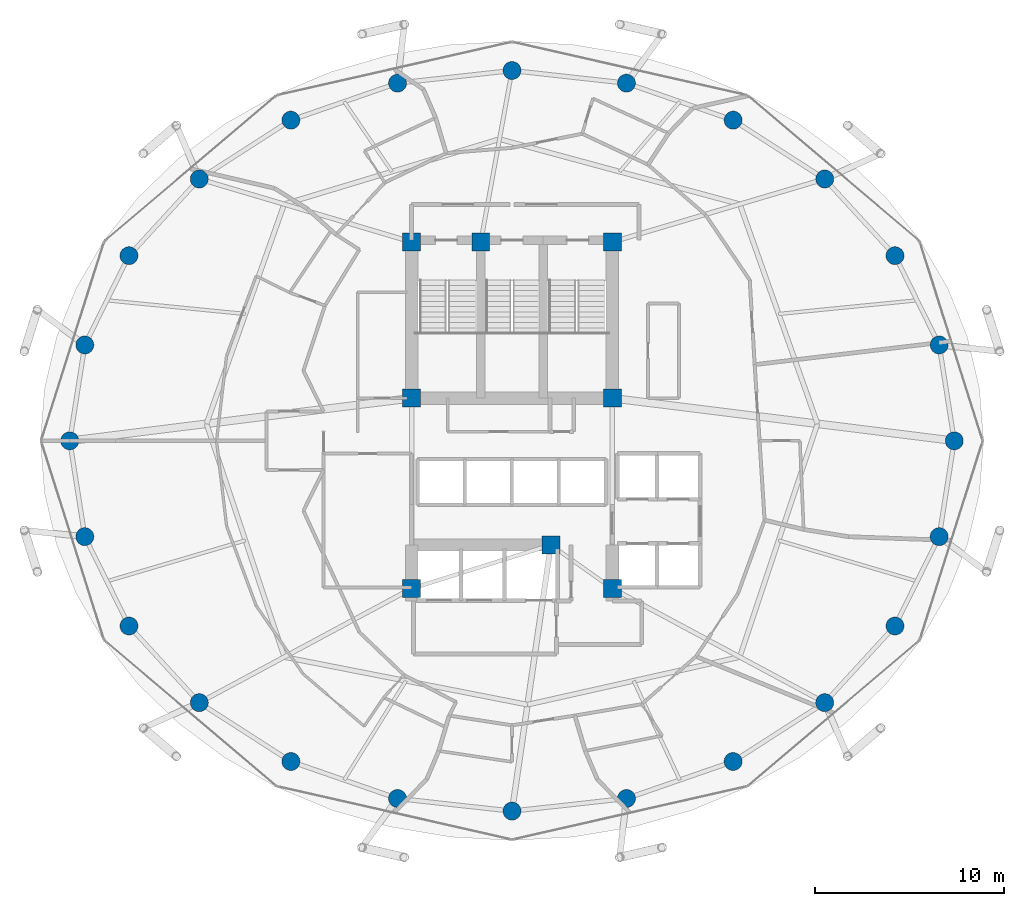
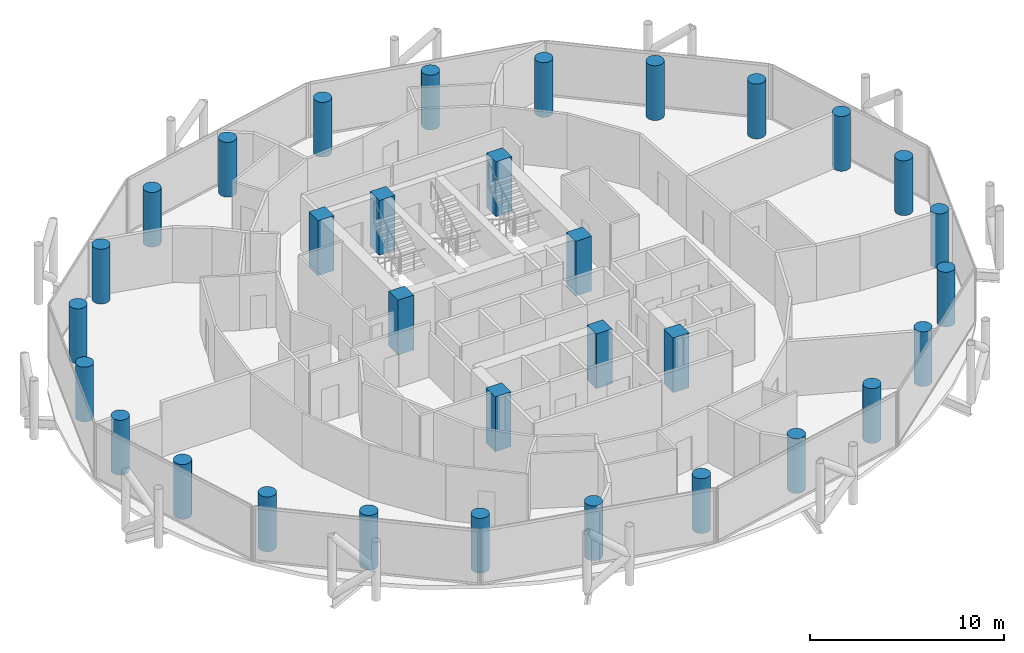
# One storey, part 1 of 26: 32 columns.
"""IFC4 building model written with IfcOpenShell, lengths in metres."""

from ifc_helpers import new_model, si_unit, direction, frame, origin, origin_2d, place, context, subcontext, project, spatial, rectangle, circle, extrude, material, material_profile, profile_set, type_object, element, save


model = new_model("IFC4")

# Units and contexts
model_context = context("Model", 3, precision=1e-05, world=origin(), true_north=direction((0.0, 1.0)))
body_context = subcontext(model_context, "Body", "Model", "MODEL_VIEW")
ifc_project = project(units=[si_unit("LENGTHUNIT", "METRE"), si_unit("AREAUNIT", "SQUARE_METRE"), si_unit("VOLUMEUNIT", "CUBIC_METRE"), si_unit("PLANEANGLEUNIT", "RADIAN"), si_unit("MASSUNIT", "GRAM", prefix="KILO")], contexts=[model_context])

# Site, building, storey
site_placement = place(None, origin())
site = spatial("IfcSite", under=ifc_project, at=site_placement, CompositionType="ELEMENT")
building_placement = place(site_placement, origin())
building = spatial("IfcBuilding", under=site, at=building_placement, Name="Nuhasar Tower", CompositionType="ELEMENT")
storey_placement = place(building_placement, frame((0.0, 0.0, 121.949951171875)))
storey = spatial("IfcBuildingStorey", under=building, at=storey_placement, Name="L28", CompositionType="ELEMENT", Elevation=121.949951171875)

# Columns
ifc_material = material(Name="Concrete C65/80", Category="concrete")
ifc_material_profile_1 = material_profile(ifc_material, circle(Radius=0.47509765625, at=origin_2d()), Name="CFT950")
ifc_profile_set_1 = profile_set([ifc_material_profile_1], Name="Concrete C65/80")
column_type_1 = type_object("IfcColumnType", Name="COL-CFT-950", PredefinedType="COLUMN", material=ifc_profile_set_1)
for number, where, z_axis, x_axis, name in (
    (1, (62.35009765625, 26.800048828125, 0.0), (0.0, 0.0, 1.0), (1.0, 0.0, 0.0), "L28 Perimeter Composite Column TC-01"),
    (2, (61.553955078125, 31.860107421875, 0.0), (0.0, 0.0, 1.0), (1.0, 0.0, 0.0), "L28 Perimeter Composite Column TC-02"),
    (3, (59.221923828125, 36.574951171875, 0.0), (0.0, 0.0, 1.0), (1.0, 0.0, 0.0), "L28 Perimeter Composite Column TC-03"),
    (4, (55.510986328125, 40.6240234375, 0.0), (0.0, 0.0, 1.0), (1.0, 0.0, 0.0), "L28 Perimeter Composite Column TC-04"),
    (5, (50.675048828125, 43.73095703125, 0.0), (0.0, 0.0, 1.0), (1.0, 0.0, 0.0), "L28 Perimeter Composite Column TC-05"),
    (6, (45.04296875, 45.68408203125, 0.0), (0.0, 0.0, 1.0), (1.0, 0.0, 0.0), "L28 Perimeter Composite Column TC-06"),
    (7, (39.0, 46.35009765625, 0.0), (0.0, 0.0, 1.0), (1.0, 0.0, 0.0), "L28 Perimeter Composite Column TC-07"),
    (8, (32.95703125, 45.68408203125, 0.0), (0.0, 0.0, 1.0), (1.0, 0.0, 0.0), "L28 Perimeter Composite Column TC-08"),
    (9, (27.324951171875, 43.73095703125, 0.0), (0.0, 0.0, 1.0), (1.0, 0.0, 0.0), "L28 Perimeter Composite Column TC-09"),
    (10, (22.489013671875, 40.6240234375, 0.0), (0.0, 0.0, 1.0), (1.0, 0.0, 0.0), "L28 Perimeter Composite Column TC-10"),
    (11, (18.778076171875, 36.574951171875, 0.0), (0.0, 0.0, 1.0), (1.0, 0.0, 0.0), "L28 Perimeter Composite Column TC-11"),
    (12, (16.446044921875, 31.860107421875, 0.0), (0.0, 0.0, 1.0), (1.0, 0.0, 0.0), "L28 Perimeter Composite Column TC-12"),
    (13, (15.64990234375, 26.800048828125, 0.0), (0.0, 0.0, 1.0), (1.0, 0.0, 0.0), "L28 Perimeter Composite Column TC-13"),
    (14, (16.446044921875, 21.739990234375, 0.0), (0.0, 0.0, 1.0), (1.0, 0.0, 0.0), "L28 Perimeter Composite Column TC-14"),
    (15, (18.778076171875, 17.02490234375, 0.0), (0.0, 0.0, 1.0), (1.0, 0.0, 0.0), "L28 Perimeter Composite Column TC-15"),
    (16, (22.489013671875, 12.97607421875, 0.0), (0.0, 0.0, 1.0), (1.0, 0.0, 0.0), "L28 Perimeter Composite Column TC-16"),
    (17, (27.324951171875, 9.868896484375, 0.0), (0.0, 0.0, 1.0), (1.0, 0.0, 0.0), "L28 Perimeter Composite Column TC-17"),
    (18, (32.95703125, 7.916015625, 0.0), (0.0, 0.0, 1.0), (1.0, 0.0, 0.0), "L28 Perimeter Composite Column TC-18"),
    (19, (39.0, 7.25, 0.0), (0.0, 0.0, 1.0), (1.0, 0.0, 0.0), "L28 Perimeter Composite Column TC-19"),
    (20, (45.04296875, 7.916015625, 0.0), (0.0, 0.0, 1.0), (1.0, 0.0, 0.0), "L28 Perimeter Composite Column TC-20"),
    (21, (50.675048828125, 9.868896484375, 0.0), (0.0, 0.0, 1.0), (1.0, 0.0, 0.0), "L28 Perimeter Composite Column TC-21"),
    (22, (55.510986328125, 12.97607421875, 0.0), (0.0, 0.0, 1.0), (1.0, 0.0, 0.0), "L28 Perimeter Composite Column TC-22"),
    (23, (59.221923828125, 17.02490234375, 0.0), (0.0, 0.0, 1.0), (1.0, 0.0, 0.0), "L28 Perimeter Composite Column TC-23"),
    (24, (61.553955078125, 21.739990234375, 0.0), (0.0, 0.0, 1.0), (1.0, 0.0, 0.0), "L28 Perimeter Composite Column TC-24"),
):
    element("IfcColumn", number, at=place(storey_placement, frame(where, z_axis=z_axis, x_axis=x_axis)), inside=storey, type_object=column_type_1, Name=name, PredefinedType="COLUMN", context=body_context, shape_type="SweptSolid", body=[
        extrude(circle(Radius=0.47509765625, at=origin_2d()), origin(), (0.0, 0.0, 1.0), 3.449951171875),
    ])
ifc_material_profile_2 = material_profile(ifc_material, rectangle(XDim=0.949951171875, YDim=0.949951171875, at=origin_2d()), Name="RC950X950")
ifc_profile_set_2 = profile_set([ifc_material_profile_2], Name="Concrete C65/80")
column_type_2 = type_object("IfcColumnType", Name="PIL-RC-950", PredefinedType="PILASTER", material=ifc_profile_set_2)
for number, where, z_axis, x_axis, name in (
    (25, (33.699951171875, 19.0, 0.0), (0.0, 0.0, 1.0), (1.0, 0.0, 0.0), "L28 Core Boundary Pilaster CC-01"),
    (26, (41.050048828125, 21.300048828125, 0.0), (0.0, 0.0, 1.0), (1.0, 0.0, 0.0), "L28 Core Boundary Pilaster CC-02"),
    (27, (44.300048828125, 19.0, 0.0), (0.0, 0.0, 1.0), (1.0, 0.0, 0.0), "L28 Core Boundary Pilaster CC-03"),
    (28, (44.300048828125, 29.050048828125, 0.0), (0.0, 0.0, 1.0), (1.0, 0.0, 0.0), "L28 Core Boundary Pilaster CC-04"),
    (29, (44.300048828125, 37.300048828125, 0.0), (0.0, 0.0, 1.0), (1.0, 0.0, 0.0), "L28 Core Boundary Pilaster CC-05"),
    (30, (37.35009765625, 37.300048828125, 0.0), (0.0, 0.0, 1.0), (1.0, 0.0, 0.0), "L28 Core Boundary Pilaster CC-06"),
    (31, (33.699951171875, 37.300048828125, 0.0), (0.0, 0.0, 1.0), (1.0, 0.0, 0.0), "L28 Core Boundary Pilaster CC-07"),
    (32, (33.699951171875, 29.050048828125, 0.0), (0.0, 0.0, 1.0), (1.0, 0.0, 0.0), "L28 Core Boundary Pilaster CC-08"),
):
    element("IfcColumn", number, at=place(storey_placement, frame(where, z_axis=z_axis, x_axis=x_axis)), inside=storey, type_object=column_type_2, Name=name, PredefinedType="PILASTER", context=body_context, shape_type="SweptSolid", body=[
        extrude(rectangle(XDim=0.949951171875, YDim=0.949951171875, at=origin_2d()), origin(), (0.0, 0.0, 1.0), 3.449951171875),
    ])

save(model, "model.ifc")
